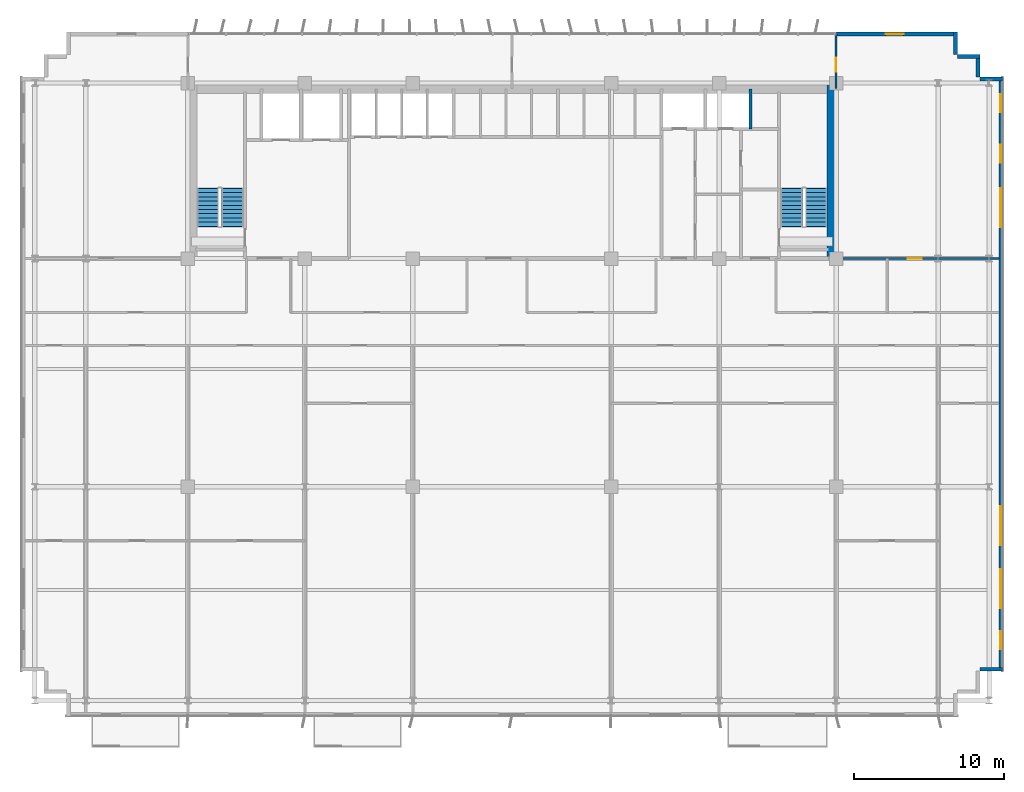
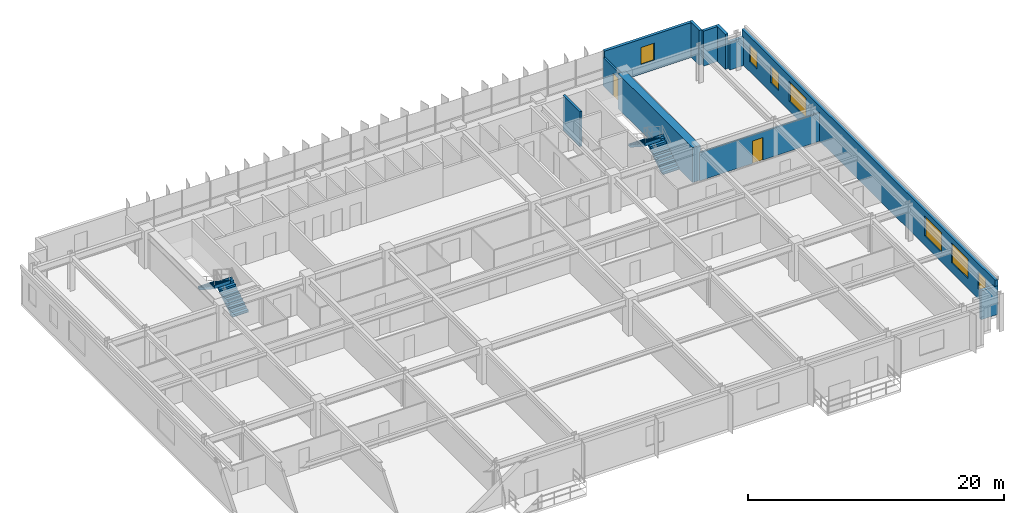
# One storey, part 18 of 21: 11 walls, 7 windows, 4 stair flights, 2 doors, 9 openings, 2 elements without a shape of their own.
"""IFC4 building model written with IfcOpenShell, lengths in metres."""

from ifc_helpers import new_model, si_unit, direction, frame, frame_2d, origin, place, context, subcontext, project, spatial, polyline, rectangle, outline, extrude, source, transform, mapped, material, layer, layer_set, type_object, element, fill, aggregate, save


model = new_model("IFC4")

# Units and contexts
model_context = context("Model", 3, precision=1e-05, world=origin(), true_north=direction((0.0, 1.0)))
body_context = subcontext(model_context, "Body", "Model", "MODEL_VIEW")
ifc_project = project(units=[si_unit("LENGTHUNIT", "METRE"), si_unit("AREAUNIT", "SQUARE_METRE"), si_unit("VOLUMEUNIT", "CUBIC_METRE"), si_unit("PLANEANGLEUNIT", "RADIAN"), si_unit("MASSUNIT", "GRAM", prefix="KILO")], contexts=[model_context])

# Site, building, storey
site_placement = place(None, origin())
site = spatial("IfcSite", under=ifc_project, at=site_placement, CompositionType="ELEMENT")
building_placement = place(site_placement, origin())
building = spatial("IfcBuilding", under=site, at=building_placement, Name="Trelvane Seafront Commons", CompositionType="ELEMENT")
storey_placement = place(building_placement, frame((0.0, 0.0, 41.5)))
storey = spatial("IfcBuildingStorey", under=building, at=storey_placement, Name="L10", CompositionType="ELEMENT", Elevation=41.5)

# Wall, opening, window
ifc_material_1 = material(Name="Precast concrete C40/50", Category="concrete")
ifc_layer_1 = layer(ifc_material_1, 0.260009765625, Name="ARCH-WALL-EXT260")
ifc_layer_set_1 = layer_set([ifc_layer_1], Name="Precast concrete C40/50")
wall_type_1 = type_object("IfcWallType", Name="ARCH-WALL-EXT260", PredefinedType="SOLIDWALL", material=ifc_layer_set_1)
wall_1_placement = place(storey_placement, frame((58.800048828125, 48.3701171875, 0.0), z_axis=(0.0, 0.0, 1.0), x_axis=(1.0, 0.0, 0.0)))
wall_1 = element("IfcWall", 1, at=wall_1_placement, inside=storey, type_object=wall_type_1, Name="EW-L10-NE-0151", PredefinedType="SOLIDWALL", context=body_context, shape_type="SweptSolid", body=[
    extrude(rectangle(XDim=8.0, YDim=0.260009765625, at=frame_2d((4.0, 0.0))), origin(), (0.0, 0.0, 1.0), 3.340087890625),
])
opening_1_placement = place(wall_1_placement, frame((3.30810546875, 0.0, 0.89990234375)))
opening_1 = element("IfcOpeningElement", 2, at=opening_1_placement, cuts=wall_1, Name="Opening W05", PredefinedType="OPENING", context=body_context, shape_type="SweptSolid", body=[
    extrude(rectangle(XDim=1.199951171875, YDim=1.64990234375, at=frame_2d((0.60009765625, 0.824951171875))), frame((0.0, 0.139892578125, 0.0), z_axis=(0.0, -1.0, 0.0), x_axis=(1.0, 0.0, 0.0)), (0.0, 0.0, 1.0), 0.280029296875),
])
ifc_material_2 = material(Name="Low-E coastal double glazing", Category="glass")
window_type_1 = type_object("IfcWindowType", Name="ARCH-WIN-W05", PartitioningType="SINGLE_PANEL", PredefinedType="WINDOW", material=ifc_material_2)
shared_shape_1 = source(origin(), body_context, "Body", "SweptSolid", [
    extrude(rectangle(XDim=1.199951171875, YDim=1.64990234375, at=frame_2d((0.60009765625, 0.824951171875))), frame((0.0, 0.030029296875, 0.0), z_axis=(0.0, -1.0, 0.0), x_axis=(1.0, 0.0, 0.0)), (0.0, 0.0, 1.0), 0.06005859375),
])
window_1_placement = place(opening_1_placement, origin())
window_1 = element("IfcWindow", 3, at=window_1_placement, inside=storey, type_object=window_type_1, Name="WIN-L10-00193", OverallHeight=1.64990234375, OverallWidth=1.199951171875, PartitioningType="SINGLE_PANEL", PredefinedType="WINDOW", context=body_context, shape_type="MappedRepresentation", body=[
    mapped(shared_shape_1, transform((0.0, 0.0, 0.0), x_axis=(1.0, 0.0, 0.0), y_axis=(0.0, 1.0, 0.0), z_axis=(0.0, 0.0, 1.0), scale=1.0)),
])
fill(opening_1, window_1)

# Walls
for number, where, z_axis, x_axis, name in (
    (4, (66.77001953125, 48.5, 0.0), (0.0, 0.0, 1.0), (0.0, -1.0, 0.0), "EW-L10-00160"),
    (5, (66.89990234375, 46.8701171875, 0.0), (0.0, 0.0, 1.0), (1.0, 0.0, 0.0), "EW-L10-00161"),
    (6, (68.27001953125, 47.0, 0.0), (0.0, 0.0, 1.0), (0.0, -1.0, 0.0), "EW-L10-00162"),
):
    element("IfcWall", number, at=place(storey_placement, frame(where, z_axis=z_axis, x_axis=x_axis)), inside=storey, type_object=wall_type_1, Name=name, PredefinedType="SOLIDWALL", context=body_context, shape_type="SweptSolid", body=[
        extrude(rectangle(XDim=1.5, YDim=0.260009765625, at=frame_2d((0.75, 0.0))), origin(), (0.0, 0.0, 1.0), 3.340087890625),
    ])
wall_2_placement = place(storey_placement, frame((68.39990234375, 45.3701171875, 0.0), z_axis=(0.0, 0.0, 1.0), x_axis=(1.0, 0.0, 0.0)))
element("IfcWall", 7, at=wall_2_placement, inside=storey, type_object=wall_type_1, Name="EW-L10-00163", PredefinedType="SOLIDWALL", context=body_context, shape_type="SweptSolid", body=[
    extrude(rectangle(XDim=1.5, YDim=0.260009765625, at=frame_2d((0.75, 0.0))), origin(), (0.0, 0.0, 1.0), 2.68994140625),
])

# Wall, openings, windows
wall_3_placement = place(storey_placement, frame((69.77001953125, 45.5, 0.0), z_axis=(0.0, 0.0, 1.0), x_axis=(0.0, -1.0, 0.0)))
wall_3 = element("IfcWall", 8, at=wall_3_placement, inside=storey, type_object=wall_type_1, Name="EW-L10-00164", PredefinedType="SOLIDWALL", context=body_context, shape_type="SweptSolid", body=[
    extrude(rectangle(XDim=39.60009765625, YDim=0.260009765625, at=frame_2d((19.800048828125, 0.0))), origin(), (0.0, 0.0, 1.0), 3.340087890625),
])
opening_2_placement = place(wall_3_placement, frame((36.949951171875, 0.0, 0.919921875)))
opening_2 = element("IfcOpeningElement", 9, at=opening_2_placement, cuts=wall_3, Name="Opening W05", PredefinedType="OPENING", context=body_context, shape_type="SweptSolid", body=[
    extrude(rectangle(XDim=1.199951171875, YDim=1.64990234375, at=frame_2d((0.60009765625, 0.824951171875))), frame((0.0, 0.139892578125, 0.0), z_axis=(0.0, -1.0, 0.0), x_axis=(1.0, 0.0, 0.0)), (0.0, 0.0, 1.0), 0.280029296875),
])
opening_3_placement = place(wall_3_placement, frame((32.800048828125, 0.0, 0.919921875)))
opening_3 = element("IfcOpeningElement", 10, at=opening_3_placement, cuts=wall_3, Name="Opening W04", PredefinedType="OPENING", context=body_context, shape_type="SweptSolid", body=[
    extrude(rectangle(XDim=2.60009765625, YDim=1.89990234375, at=frame_2d((1.300048828125, 0.949951171875))), frame((0.0, 0.139892578125, 0.0), z_axis=(0.0, -1.0, 0.0), x_axis=(1.0, 0.0, 0.0)), (0.0, 0.0, 1.0), 0.280029296875),
])
opening_4_placement = place(wall_3_placement, frame((28.60009765625, 0.0, 0.919921875)))
opening_4 = element("IfcOpeningElement", 11, at=opening_4_placement, cuts=wall_3, Name="Opening W04", PredefinedType="OPENING", context=body_context, shape_type="SweptSolid", body=[
    extrude(rectangle(XDim=2.60009765625, YDim=1.89990234375, at=frame_2d((1.300048828125, 0.949951171875))), frame((0.0, 0.139892578125, 0.0), z_axis=(0.0, -1.0, 0.0), x_axis=(1.0, 0.0, 0.0)), (0.0, 0.0, 1.0), 0.280029296875),
])
opening_5_placement = place(wall_3_placement, frame((7.39990234375, 0.0, 0.919921875)))
opening_5 = element("IfcOpeningElement", 12, at=opening_5_placement, cuts=wall_3, Name="Opening W04", PredefinedType="OPENING", context=body_context, shape_type="SweptSolid", body=[
    extrude(rectangle(XDim=2.60009765625, YDim=1.89990234375, at=frame_2d((1.300048828125, 0.949951171875))), frame((0.0, 0.139892578125, 0.0), z_axis=(0.0, -1.0, 0.0), x_axis=(1.0, 0.0, 0.0)), (0.0, 0.0, 1.0), 0.280029296875),
])
opening_6_placement = place(wall_3_placement, frame((4.5, 0.0, 0.919921875)))
opening_6 = element("IfcOpeningElement", 13, at=opening_6_placement, cuts=wall_3, Name="Opening W05", PredefinedType="OPENING", context=body_context, shape_type="SweptSolid", body=[
    extrude(rectangle(XDim=1.199951171875, YDim=1.64990234375, at=frame_2d((0.60009765625, 0.824951171875))), frame((0.0, 0.139892578125, 0.0), z_axis=(0.0, -1.0, 0.0), x_axis=(1.0, 0.0, 0.0)), (0.0, 0.0, 1.0), 0.280029296875),
])
opening_7_placement = place(wall_3_placement, frame((1.14990234375, 0.0, 0.919921875)))
opening_7 = element("IfcOpeningElement", 14, at=opening_7_placement, cuts=wall_3, Name="Opening W05", PredefinedType="OPENING", context=body_context, shape_type="SweptSolid", body=[
    extrude(rectangle(XDim=1.199951171875, YDim=1.64990234375, at=frame_2d((0.60009765625, 0.824951171875))), frame((0.0, 0.139892578125, 0.0), z_axis=(0.0, -1.0, 0.0), x_axis=(1.0, 0.0, 0.0)), (0.0, 0.0, 1.0), 0.280029296875),
])
window_type_2 = type_object("IfcWindowType", Name="ARCH-WIN-W04", PartitioningType="SINGLE_PANEL", PredefinedType="WINDOW", material=ifc_material_2)
shared_shape_2 = source(origin(), body_context, "Body", "SweptSolid", [
    extrude(rectangle(XDim=2.60009765625, YDim=1.89990234375, at=frame_2d((1.300048828125, 0.949951171875))), frame((0.0, 0.030029296875, 0.0), z_axis=(0.0, -1.0, 0.0), x_axis=(1.0, 0.0, 0.0)), (0.0, 0.0, 1.0), 0.06005859375),
])
window_2_placement = place(opening_3_placement, origin())
window_2 = element("IfcWindow", 15, at=window_2_placement, inside=storey, type_object=window_type_2, Name="WIN-L10-EW-00201", OverallHeight=1.89990234375, OverallWidth=2.60009765625, PartitioningType="SINGLE_PANEL", PredefinedType="WINDOW", context=body_context, shape_type="MappedRepresentation", body=[
    mapped(shared_shape_2, transform((0.0, 0.0, 0.0), x_axis=(1.0, 0.0, 0.0), y_axis=(0.0, 1.0, 0.0), z_axis=(0.0, 0.0, 1.0), scale=1.0)),
])
fill(opening_3, window_2)
window_3_placement = place(opening_4_placement, origin())
window_3 = element("IfcWindow", 16, at=window_3_placement, inside=storey, type_object=window_type_2, Name="WIN-L10-EW-00202", OverallHeight=1.89990234375, OverallWidth=2.60009765625, PartitioningType="SINGLE_PANEL", PredefinedType="WINDOW", context=body_context, shape_type="MappedRepresentation", body=[
    mapped(shared_shape_2, transform((0.0, 0.0, 0.0), x_axis=(1.0, 0.0, 0.0), y_axis=(0.0, 1.0, 0.0), z_axis=(0.0, 0.0, 1.0), scale=1.0)),
])
fill(opening_4, window_3)
window_4_placement = place(opening_5_placement, origin())
window_4 = element("IfcWindow", 17, at=window_4_placement, inside=storey, type_object=window_type_2, Name="WIN-L10-EW-00203", OverallHeight=1.89990234375, OverallWidth=2.60009765625, PartitioningType="SINGLE_PANEL", PredefinedType="WINDOW", context=body_context, shape_type="MappedRepresentation", body=[
    mapped(shared_shape_2, transform((0.0, 0.0, 0.0), x_axis=(1.0, 0.0, 0.0), y_axis=(0.0, 1.0, 0.0), z_axis=(0.0, 0.0, 1.0), scale=1.0)),
])
fill(opening_5, window_4)
window_5_placement = place(opening_2_placement, origin())
window_5 = element("IfcWindow", 18, at=window_5_placement, inside=storey, type_object=window_type_1, Name="WIN-L10-EW-00200", OverallHeight=1.64990234375, OverallWidth=1.199951171875, PartitioningType="SINGLE_PANEL", PredefinedType="WINDOW", context=body_context, shape_type="MappedRepresentation", body=[
    mapped(shared_shape_1, transform((0.0, 0.0, 0.0), x_axis=(1.0, 0.0, 0.0), y_axis=(0.0, 1.0, 0.0), z_axis=(0.0, 0.0, 1.0), scale=1.0)),
])
fill(opening_2, window_5)
window_6_placement = place(opening_6_placement, origin())
window_6 = element("IfcWindow", 19, at=window_6_placement, inside=storey, type_object=window_type_1, Name="WIN-L10-EW-00204", OverallHeight=1.64990234375, OverallWidth=1.199951171875, PartitioningType="SINGLE_PANEL", PredefinedType="WINDOW", context=body_context, shape_type="MappedRepresentation", body=[
    mapped(shared_shape_1, transform((0.0, 0.0, 0.0), x_axis=(1.0, 0.0, 0.0), y_axis=(0.0, 1.0, 0.0), z_axis=(0.0, 0.0, 1.0), scale=1.0)),
])
fill(opening_6, window_6)
window_7_placement = place(opening_7_placement, origin())
window_7 = element("IfcWindow", 20, at=window_7_placement, inside=storey, type_object=window_type_1, Name="WIN-L10-EW-00205", OverallHeight=1.64990234375, OverallWidth=1.199951171875, PartitioningType="SINGLE_PANEL", PredefinedType="WINDOW", context=body_context, shape_type="MappedRepresentation", body=[
    mapped(shared_shape_1, transform((0.0, 0.0, 0.0), x_axis=(1.0, 0.0, 0.0), y_axis=(0.0, 1.0, 0.0), z_axis=(0.0, 0.0, 1.0), scale=1.0)),
])
fill(opening_7, window_7)

# Wall
wall_4_placement = place(storey_placement, frame((69.89990234375, 6.030029296875, 0.0), z_axis=(0.0, 0.0, 1.0), x_axis=(-1.0, 0.0, 0.0)))
element("IfcWall", 21, at=wall_4_placement, inside=storey, type_object=wall_type_1, Name="EW-L10-00165", PredefinedType="SOLIDWALL", context=body_context, shape_type="SweptSolid", body=[
    extrude(rectangle(XDim=1.5, YDim=0.260009765625, at=frame_2d((0.75, 0.0))), origin(), (0.0, 0.0, 1.0), 2.751953125),
])

# Wall, opening, door
ifc_material_3 = material(Name="Gypsum Drywall Acoustic Partition")
ifc_layer_2 = layer(ifc_material_3, 0.14990234375, Name="ARCH-WALL-PART150")
ifc_layer_set_2 = layer_set([ifc_layer_2], Name="Gypsum Drywall Acoustic Partition")
wall_type_2 = type_object("IfcWallType", Name="ARCH-WALL-PART150", PredefinedType="PARTITIONING", material=ifc_layer_set_2)
wall_5_placement = place(storey_placement, frame((58.800048828125, 33.39990234375, 0.0), z_axis=(0.0, 0.0, 1.0), x_axis=(1.0, 0.0, 0.0)))
wall_5 = element("IfcWall", 22, at=wall_5_placement, inside=storey, type_object=wall_type_2, Name="W-L10-NE-ENT-050", PredefinedType="PARTITIONING", context=body_context, shape_type="SweptSolid", body=[
    extrude(rectangle(XDim=10.849853515625, YDim=0.14990234375, at=frame_2d((5.4248046875, 0.0))), origin(), (0.0, 0.0, 1.0), 2.68994140625),
])
opening_8_placement = place(wall_5_placement, frame((4.760009765625, 0.0, 0.0)))
opening_8 = element("IfcOpeningElement", 23, at=opening_8_placement, cuts=wall_5, Name="Opening FD-L10-24", PredefinedType="OPENING", context=body_context, shape_type="SweptSolid", body=[
    extrude(rectangle(XDim=0.949951171875, YDim=2.14990234375, at=frame_2d((0.47509765625, 1.074951171875))), frame((0.0, 0.0849609375, 0.0), z_axis=(0.0, -1.0, 0.0), x_axis=(1.0, 0.0, 0.0)), (0.0, 0.0, 1.0), 0.169921875),
])
ifc_material_4 = material(Name="Powder-coated aluminium frame", Category="aluminium")
door_type = type_object("IfcDoorType", Name="ARCH-DR-FD60-950", OperationType="NOTDEFINED", PredefinedType="DOOR", material=ifc_material_4)
shared_shape_3 = source(origin(), body_context, "Body", "SweptSolid", [
    extrude(rectangle(XDim=0.949951171875, YDim=2.14990234375, at=frame_2d((0.47509765625, 1.074951171875))), frame((0.0, 0.02490234375, 0.0), z_axis=(0.0, -1.0, 0.0), x_axis=(1.0, 0.0, 0.0)), (0.0, 0.0, 1.0), 0.050048828125),
])
door_1_placement = place(opening_8_placement, origin())
door_1 = element("IfcDoor", 24, at=door_1_placement, inside=storey, type_object=door_type, Name="L10 NE Suite Entrance Door", OperationType="SINGLE_SWING_RIGHT", OverallHeight=2.14990234375, OverallWidth=0.949951171875, PredefinedType="DOOR", context=body_context, shape_type="MappedRepresentation", body=[
    mapped(shared_shape_3, transform((0.0, 0.0, 0.0), x_axis=(1.0, 0.0, 0.0), y_axis=(0.0, 1.0, 0.0), z_axis=(0.0, 0.0, 1.0), scale=1.0)),
])
fill(opening_8, door_1)

wall_6_placement = place(storey_placement, frame((58.800048828125, 44.75, 0.0), z_axis=(0.0, 0.0, 1.0), x_axis=(0.0, 1.0, 0.0)))
wall_6 = element("IfcWall", 25, at=wall_6_placement, inside=storey, type_object=wall_type_2, Name="W-L10-N-LINK-E-053", PredefinedType="PARTITIONING", context=body_context, shape_type="SweptSolid", body=[
    extrude(rectangle(XDim=3.610107421875, YDim=0.14990234375, at=frame_2d((1.80517578125, 0.0))), origin(), (0.0, 0.0, 1.0), 2.751953125),
])
opening_9_placement = place(wall_6_placement, frame((1.10009765625, 0.0, 0.0)))
opening_9 = element("IfcOpeningElement", 26, at=opening_9_placement, cuts=wall_6, Name="Opening FD-L10-27", PredefinedType="OPENING", context=body_context, shape_type="SweptSolid", body=[
    extrude(rectangle(XDim=0.949951171875, YDim=2.14990234375, at=frame_2d((0.47509765625, 1.074951171875))), frame((0.0, 0.0849609375, 0.0), z_axis=(0.0, -1.0, 0.0), x_axis=(1.0, 0.0, 0.0)), (0.0, 0.0, 1.0), 0.169921875),
])
door_2_placement = place(opening_9_placement, origin())
door_2 = element("IfcDoor", 27, at=door_2_placement, inside=storey, type_object=door_type, Name="L10 Door 27", OperationType="SINGLE_SWING_LEFT", OverallHeight=2.14990234375, OverallWidth=0.949951171875, PredefinedType="DOOR", context=body_context, shape_type="MappedRepresentation", body=[
    mapped(shared_shape_3, transform((0.0, 0.0, 0.0), x_axis=(1.0, 0.0, 0.0), y_axis=(0.0, 1.0, 0.0), z_axis=(0.0, 0.0, 1.0), scale=1.0)),
])
fill(opening_9, door_2)

# Walls
ifc_material_5 = material(Name="Concrete C40/50", Category="concrete")
ifc_layer_3 = layer(ifc_material_5, 0.199951171875, Name="ARCH-WALL-SHAFT200")
ifc_layer_set_3 = layer_set([ifc_layer_3], Name="Concrete C40/50")
wall_type_3 = type_object("IfcWallType", Name="ARCH-WALL-SHAFT200", PredefinedType="SOLIDWALL", material=ifc_layer_set_3)
wall_7_placement = place(storey_placement, frame((53.10009765625, 42.050048828125, 0.0), z_axis=(0.0, 0.0, 1.0), x_axis=(0.0, 1.0, 0.0)))
element("IfcWall", 28, at=wall_7_placement, inside=storey, type_object=wall_type_3, Name="W-L10-RSR-E-032", PredefinedType="SOLIDWALL", context=body_context, shape_type="SweptSolid", body=[
    extrude(rectangle(XDim=2.64990234375, YDim=0.199951171875, at=frame_2d((1.324951171875, 0.0))), origin(), (0.0, 0.0, 1.0), 3.340087890625),
])
ifc_material_6 = material(Name="Concrete C60/75", Category="concrete")
ifc_layer_4 = layer(ifc_material_6, 0.699951171875, Name="STR-WALL-CORE700")
ifc_layer_set_4 = layer_set([ifc_layer_4], Name="Concrete C60/75")
wall_type_4 = type_object("IfcWallType", Name="STR-WALL-CORE700", PredefinedType="SHEAR", material=ifc_layer_set_4)
wall_8_placement = place(storey_placement, frame((58.550048828125, 33.39990234375, 0.0), z_axis=(0.0, 0.0, 1.0), x_axis=(0.0, 1.0, 0.0)))
element("IfcWall", 29, at=wall_8_placement, inside=storey, type_object=wall_type_4, Name="W-L10-CE-END-003", PredefinedType="SHEAR", context=body_context, shape_type="SweptSolid", body=[
    extrude(rectangle(XDim=11.7001953125, YDim=0.699951171875, at=frame_2d((5.85009765625, 0.0))), origin(), (0.0, 0.0, 1.0), 3.340087890625),
])

# Stair, stair flights
stair_type_1 = type_object("IfcStairType", Name="ARCH-STR-ST-1-R20-180", PredefinedType="HALF_TURN_STAIR", material=ifc_material_5)
stair_1_placement = place(storey_placement, origin())
stair_1 = element("IfcStair", 30, at=stair_1_placement, inside=storey, type_object=stair_type_1, Name="L10 West Protected Firefighting Exit Stair ST-1", PredefinedType="HALF_TURN_STAIR")
stair_flight_type_1 = type_object("IfcStairFlightType", Name="ARCH-FLG-ST-1-R20-180", PredefinedType="STRAIGHT", material=ifc_material_5)
shared_shape_4 = source(origin(), body_context, "Body", "SweptSolid", [
    extrude(outline(polyline([(-0.050048828125, -0.02001953125), (-0.050048828125, 0.0), (0.0, 0.0), (0.0, 0.179931640625), (0.280029296875, 0.179931640625), (0.280029296875, 0.360107421875), (0.56005859375, 0.360107421875), (0.56005859375, 0.5400390625), (0.840087890625, 0.5400390625), (0.840087890625, 0.719970703125), (1.1201171875, 0.719970703125), (1.1201171875, 0.89990234375), (1.39990234375, 0.89990234375), (1.39990234375, 1.080078125), (1.679931640625, 1.080078125), (1.679931640625, 1.260009765625), (1.9599609375, 1.260009765625), (1.9599609375, 1.43994140625), (2.239990234375, 1.43994140625), (2.239990234375, 1.6201171875), (2.52001953125, 1.6201171875), (2.52001953125, 1.800048828125), (2.570068359375, 1.800048828125), (2.570068359375, 1.650146484375), (2.52001953125, 1.44189453125), (0.277099609375, -0.02001953125), (-0.050048828125, -0.02001953125)])), frame((0.0, 0.72509765625, 0.0), z_axis=(0.0, -1.0, 0.0), x_axis=(1.0, 0.0, 0.0)), (0.0, 0.0, 1.0), 1.449951171875),
])
stair_flight_1_placement = place(storey_placement, frame((18.574951171875, 35.550048828125, 0.0), z_axis=(0.0, 0.0, 1.0), x_axis=(0.0, 1.0, 0.0)))
stair_flight_1 = element("IfcStairFlight", 31, at=stair_flight_1_placement, type_object=stair_flight_type_1, Name="ST-1 flight 1", NumberOfRisers=10, NumberOfTreads=9, PredefinedType="STRAIGHT", RiserHeight=0.18, TreadLength=0.28, context=body_context, shape_type="MappedRepresentation", body=[
    mapped(shared_shape_4, transform((0.0, 0.0, 0.0), x_axis=(1.0, 0.0, 0.0), y_axis=(0.0, 1.0, 0.0), z_axis=(0.0, 0.0, 1.0), scale=1.0)),
])
stair_flight_2_placement = place(storey_placement, frame((16.925048828125, 38.070068359375, 1.800048828125), z_axis=(0.0, 0.0, 1.0), x_axis=(0.0, -1.0, 0.0)))
stair_flight_2 = element("IfcStairFlight", 32, at=stair_flight_2_placement, type_object=stair_flight_type_1, Name="ST-1 flight 2", NumberOfRisers=10, NumberOfTreads=9, PredefinedType="STRAIGHT", RiserHeight=0.18, TreadLength=0.28, context=body_context, shape_type="MappedRepresentation", body=[
    mapped(shared_shape_4, transform((0.0, 0.0, 0.0), x_axis=(1.0, 0.0, 0.0), y_axis=(0.0, 1.0, 0.0), z_axis=(0.0, 0.0, 1.0), scale=1.0)),
])
aggregate(stair_1, [stair_flight_1, stair_flight_2])

stair_type_2 = type_object("IfcStairType", Name="ARCH-STR-ST-2-R20-180", PredefinedType="HALF_TURN_STAIR", material=ifc_material_5)
stair_2_placement = place(storey_placement, origin())
stair_2 = element("IfcStair", 33, at=stair_2_placement, inside=storey, type_object=stair_type_2, Name="L10 East Protected Firefighting Exit Stair ST-2", PredefinedType="HALF_TURN_STAIR")
stair_flight_type_2 = type_object("IfcStairFlightType", Name="ARCH-FLG-ST-2-R20-180", PredefinedType="STRAIGHT", material=ifc_material_5)
stair_flight_3_placement = place(storey_placement, frame((57.47509765625, 35.550048828125, 0.0), z_axis=(0.0, 0.0, 1.0), x_axis=(0.0, 1.0, 0.0)))
stair_flight_3 = element("IfcStairFlight", 34, at=stair_flight_3_placement, type_object=stair_flight_type_2, Name="ST-2 flight 1", NumberOfRisers=10, NumberOfTreads=9, PredefinedType="STRAIGHT", RiserHeight=0.18, TreadLength=0.28, context=body_context, shape_type="MappedRepresentation", body=[
    mapped(shared_shape_4, transform((0.0, 0.0, 0.0), x_axis=(1.0, 0.0, 0.0), y_axis=(0.0, 1.0, 0.0), z_axis=(0.0, 0.0, 1.0), scale=1.0)),
])
stair_flight_4_placement = place(storey_placement, frame((55.824951171875, 38.070068359375, 1.800048828125), z_axis=(0.0, 0.0, 1.0), x_axis=(0.0, -1.0, 0.0)))
stair_flight_4 = element("IfcStairFlight", 35, at=stair_flight_4_placement, type_object=stair_flight_type_2, Name="ST-2 flight 2", NumberOfRisers=10, NumberOfTreads=9, PredefinedType="STRAIGHT", RiserHeight=0.18, TreadLength=0.28, context=body_context, shape_type="MappedRepresentation", body=[
    mapped(shared_shape_4, transform((0.0, 0.0, 0.0), x_axis=(1.0, 0.0, 0.0), y_axis=(0.0, 1.0, 0.0), z_axis=(0.0, 0.0, 1.0), scale=1.0)),
])
aggregate(stair_2, [stair_flight_3, stair_flight_4])

save(model, "model.ifc")
